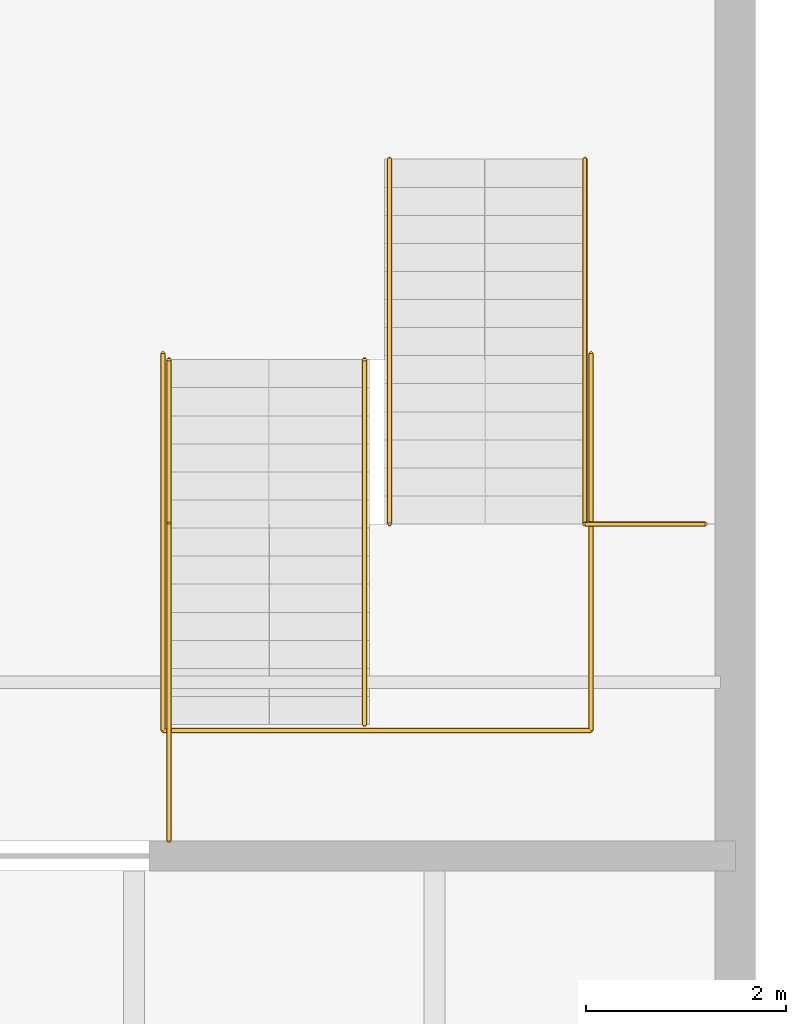
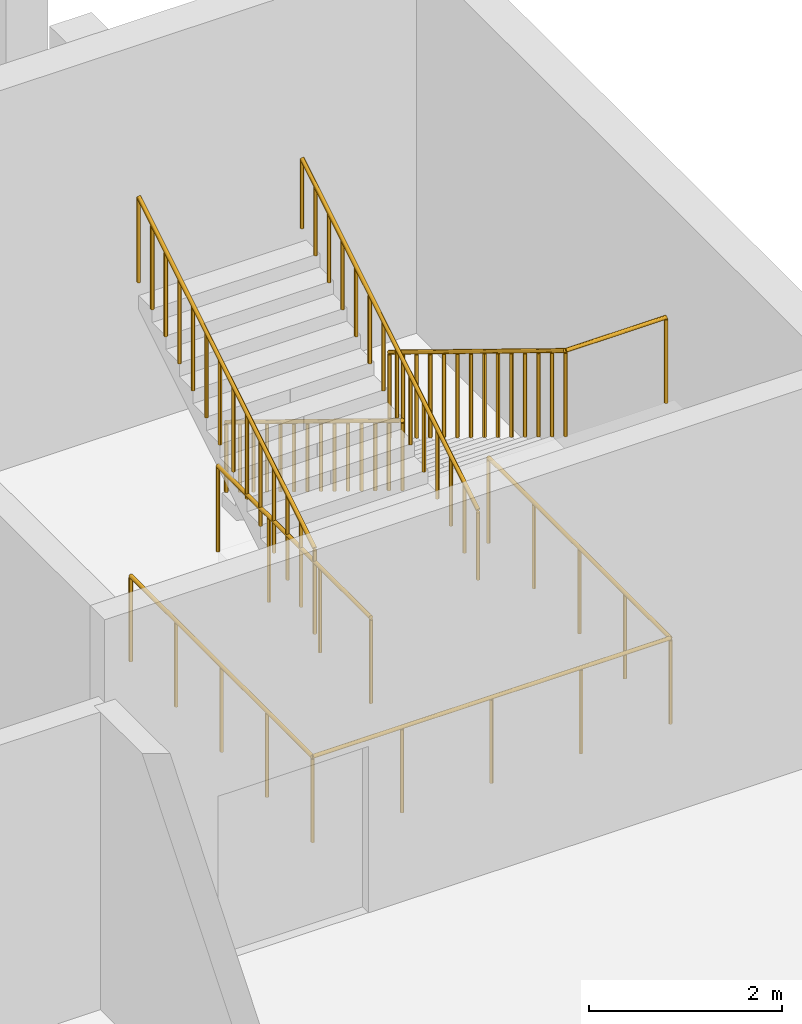
# One storey, part 31 of 31: 7 railings.
"""IFC4 building model written with IfcOpenShell, lengths in metres."""

from ifc_helpers import new_model, si_unit, direction, frame, origin, origin_2d, place, context, subcontext, project, spatial, circle, extrude, material, type_object, element, save


model = new_model("IFC4")

# Units and contexts
model_context = context("Model", 3, precision=1e-05, world=origin(), true_north=direction((0.0, 1.0)))
body_context = subcontext(model_context, "Body", "Model", "MODEL_VIEW")
ifc_project = project(units=[si_unit("LENGTHUNIT", "METRE"), si_unit("AREAUNIT", "SQUARE_METRE"), si_unit("VOLUMEUNIT", "CUBIC_METRE"), si_unit("PLANEANGLEUNIT", "RADIAN"), si_unit("MASSUNIT", "GRAM", prefix="KILO")], contexts=[model_context])

# Site, building, storey
site_placement = place(None, origin())
site = spatial("IfcSite", under=ifc_project, at=site_placement, CompositionType="ELEMENT")
building_placement = place(site_placement, origin())
building = spatial("IfcBuilding", under=site, at=building_placement, Name="Halyard Row Museum", CompositionType="ELEMENT")
storey_placement = place(building_placement, frame((0.0, 0.0, -4.800048828125)))
storey = spatial("IfcBuildingStorey", under=building, at=storey_placement, Name="B1", CompositionType="ELEMENT", Elevation=-4.800048828125)

# Railings
ifc_material_1 = material(Name="Steel Grade 300", Category="steel")
railing_type_1 = type_object("IfcRailingType", Name="Guard GR2 steel balustrade 1100", PredefinedType="GUARDRAIL", material=ifc_material_1)
railing_1_placement = place(storey_placement, frame((106.5, 61.10009765625, 0.17138671875)))
element("IfcRailing", 1, at=railing_1_placement, inside=storey, type_object=railing_type_1, Name="Guard GR112", PredefinedType="GUARDRAIL", context=body_context, shape_type="SweptSolid", body=[
    extrude(circle(Radius=0.02392578125, at=origin_2d()), frame((0.0, 0.0, 1.076171875), z_axis=(0.0, -0.852601252411, 0.522562057929), x_axis=(1.0, 0.0, 0.0)), (0.0, 0.0, 1.0), 0.328369140625),
    extrude(circle(Radius=0.02392578125, at=origin_2d()), frame((0.0, -0.280029296875, 1.24755859375), z_axis=(0.0, -0.852932391421, 0.522021393877), x_axis=(1.0, 0.0, 0.0)), (0.0, 0.0, 1.0), 0.328369140625),
    extrude(circle(Radius=0.02392578125, at=origin_2d()), frame((0.0, -0.56005859375, 1.4189453125), z_axis=(0.0, -0.852932391421, 0.522021393877), x_axis=(1.0, 0.0, 0.0)), (0.0, 0.0, 1.0), 0.328369140625),
    extrude(circle(Radius=0.02392578125, at=origin_2d()), frame((0.0, -0.840087890625, 1.59033203125), z_axis=(0.0, -0.852932391421, 0.522021393877), x_axis=(1.0, 0.0, 0.0)), (0.0, 0.0, 1.0), 0.328369140625),
    extrude(circle(Radius=0.02392578125, at=origin_2d()), frame((0.0, -1.1201171875, 1.76171875), z_axis=(0.0, -0.852932391421, 0.522021393877), x_axis=(1.0, 0.0, 0.0)), (0.0, 0.0, 1.0), 0.328369140625),
    extrude(circle(Radius=0.02392578125, at=origin_2d()), frame((0.0, -1.400146484375, 1.93310546875), z_axis=(0.0, -0.852932391421, 0.522021393877), x_axis=(1.0, 0.0, 0.0)), (0.0, 0.0, 1.0), 0.328369140625),
    extrude(circle(Radius=0.02392578125, at=origin_2d()), frame((0.0, -1.68017578125, 2.1044921875), z_axis=(0.0, -0.852601252411, 0.522562057929), x_axis=(1.0, 0.0, 0.0)), (0.0, 0.0, 1.0), 0.328369140625),
    extrude(circle(Radius=0.02392578125, at=origin_2d()), frame((0.0, -1.960205078125, 2.2763671875), z_axis=(0.0, -0.852729557261, 0.522352660731), x_axis=(1.0, 0.0, 0.0)), (0.0, 0.0, 1.0), 0.328125),
    extrude(circle(Radius=0.02392578125, at=origin_2d()), frame((0.0, -2.239990234375, 2.44775390625), z_axis=(0.0, -0.852932391421, 0.522021393877), x_axis=(1.0, 0.0, 0.0)), (0.0, 0.0, 1.0), 0.328369140625),
    extrude(circle(Radius=0.02392578125, at=origin_2d()), frame((0.0, -2.52001953125, 2.619140625), z_axis=(0.0, -0.852932391421, 0.522021393877), x_axis=(1.0, 0.0, 0.0)), (0.0, 0.0, 1.0), 0.328369140625),
    extrude(circle(Radius=0.02392578125, at=origin_2d()), frame((0.0, -2.800048828125, 2.79052734375), z_axis=(0.0, -0.852932391421, 0.522021393877), x_axis=(1.0, 0.0, 0.0)), (0.0, 0.0, 1.0), 0.328369140625),
    extrude(circle(Radius=0.02392578125, at=origin_2d()), frame((0.0, -3.080078125, 2.9619140625), z_axis=(0.0, -0.852932391421, 0.522021393877), x_axis=(1.0, 0.0, 0.0)), (0.0, 0.0, 1.0), 0.328369140625),
    extrude(circle(Radius=0.02392578125, at=origin_2d()), frame((0.0, -3.360107421875, 3.13330078125), z_axis=(0.0, -0.852601252411, 0.522562057929), x_axis=(1.0, 0.0, 0.0)), (0.0, 0.0, 1.0), 0.328369140625),
    extrude(circle(Radius=0.02099609375, at=origin_2d()), origin(), (0.0, 0.0, 1.0), 1.052001953125),
    extrude(circle(Radius=0.02099609375, at=origin_2d()), frame((0.0, -0.280029296875, 0.171630859375)), (0.0, 0.0, 1.0), 1.052001953125),
    extrude(circle(Radius=0.02099609375, at=origin_2d()), frame((0.0, -0.56005859375, 0.343017578125)), (0.0, 0.0, 1.0), 1.052001953125),
    extrude(circle(Radius=0.02099609375, at=origin_2d()), frame((0.0, -0.840087890625, 0.514404296875)), (0.0, 0.0, 1.0), 1.052001953125),
    extrude(circle(Radius=0.02099609375, at=origin_2d()), frame((0.0, -1.1201171875, 0.685791015625)), (0.0, 0.0, 1.0), 1.052001953125),
    extrude(circle(Radius=0.02099609375, at=origin_2d()), frame((0.0, -1.400146484375, 0.857177734375)), (0.0, 0.0, 1.0), 1.052001953125),
    extrude(circle(Radius=0.02099609375, at=origin_2d()), frame((0.0, -1.68017578125, 1.028564453125)), (0.0, 0.0, 1.0), 1.052001953125),
    extrude(circle(Radius=0.02099609375, at=origin_2d()), frame((0.0, -1.960205078125, 1.2001953125)), (0.0, 0.0, 1.0), 1.052001953125),
    extrude(circle(Radius=0.02099609375, at=origin_2d()), frame((0.0, -2.239990234375, 1.37158203125)), (0.0, 0.0, 1.0), 1.052001953125),
    extrude(circle(Radius=0.02099609375, at=origin_2d()), frame((0.0, -2.52001953125, 1.54296875)), (0.0, 0.0, 1.0), 1.052001953125),
    extrude(circle(Radius=0.02099609375, at=origin_2d()), frame((0.0, -2.800048828125, 1.71435546875)), (0.0, 0.0, 1.0), 1.052001953125),
    extrude(circle(Radius=0.02099609375, at=origin_2d()), frame((0.0, -3.080078125, 1.8857421875)), (0.0, 0.0, 1.0), 1.052001953125),
    extrude(circle(Radius=0.02099609375, at=origin_2d()), frame((0.0, -3.360107421875, 2.05712890625)), (0.0, 0.0, 1.0), 1.052001953125),
    extrude(circle(Radius=0.02099609375, at=origin_2d()), frame((0.0, -3.64013671875, 2.228759765625)), (0.0, 0.0, 1.0), 1.052001953125),
])
railing_2_placement = place(storey_placement, frame((102.35009765625, 55.4599609375, 2.571533203125)))
element("IfcRailing", 2, at=railing_2_placement, inside=storey, type_object=railing_type_1, Name="Guard GR113", PredefinedType="GUARDRAIL", context=body_context, shape_type="SweptSolid", body=[
    extrude(circle(Radius=0.02392578125, at=origin_2d()), frame((0.0, 0.0, 1.076171875), z_axis=(0.0, 0.852932391421, 0.522021393877), x_axis=(-1.0, 0.0, 0.0)), (0.0, 0.0, 1.0), 0.328369140625),
    extrude(circle(Radius=0.02392578125, at=origin_2d()), frame((0.0, 0.280029296875, 1.24755859375), z_axis=(0.0, 0.852932391421, 0.522021393877), x_axis=(-1.0, 0.0, 0.0)), (0.0, 0.0, 1.0), 0.328369140625),
    extrude(circle(Radius=0.02392578125, at=origin_2d()), frame((0.0, 0.56005859375, 1.4189453125), z_axis=(0.0, 0.852932391421, 0.522021393877), x_axis=(-1.0, 0.0, 0.0)), (0.0, 0.0, 1.0), 0.328369140625),
    extrude(circle(Radius=0.02392578125, at=origin_2d()), frame((0.0, 0.840087890625, 1.59033203125), z_axis=(0.0, 0.852932391421, 0.522021393877), x_axis=(-1.0, 0.0, 0.0)), (0.0, 0.0, 1.0), 0.328369140625),
    extrude(circle(Radius=0.02392578125, at=origin_2d()), frame((0.0, 1.1201171875, 1.76171875), z_axis=(0.0, 0.852601252411, 0.522562057929), x_axis=(-1.0, 0.0, 0.0)), (0.0, 0.0, 1.0), 0.328369140625),
    extrude(circle(Radius=0.02392578125, at=origin_2d()), frame((0.0, 1.400146484375, 1.93310546875), z_axis=(0.0, 0.852729557261, 0.522352660731), x_axis=(-1.0, 0.0, 0.0)), (0.0, 0.0, 1.0), 0.328125),
    extrude(circle(Radius=0.02392578125, at=origin_2d()), frame((0.0, 1.679931640625, 2.1044921875), z_axis=(0.0, 0.852932391421, 0.522021393877), x_axis=(-1.0, 0.0, 0.0)), (0.0, 0.0, 1.0), 0.328369140625),
    extrude(circle(Radius=0.02392578125, at=origin_2d()), frame((0.0, 1.9599609375, 2.27587890625), z_axis=(0.0, 0.852932391421, 0.522021393877), x_axis=(-1.0, 0.0, 0.0)), (0.0, 0.0, 1.0), 0.328369140625),
    extrude(circle(Radius=0.02392578125, at=origin_2d()), frame((0.0, 2.239990234375, 2.447265625), z_axis=(0.0, 0.852932391421, 0.522021393877), x_axis=(-1.0, 0.0, 0.0)), (0.0, 0.0, 1.0), 0.328369140625),
    extrude(circle(Radius=0.02392578125, at=origin_2d()), frame((0.0, 2.52001953125, 2.61865234375), z_axis=(0.0, 0.852932391421, 0.522021393877), x_axis=(-1.0, 0.0, 0.0)), (0.0, 0.0, 1.0), 0.328369140625),
    extrude(circle(Radius=0.02392578125, at=origin_2d()), frame((0.0, 2.800048828125, 2.7900390625), z_axis=(0.0, 0.852601252411, 0.522562057929), x_axis=(-1.0, 0.0, 0.0)), (0.0, 0.0, 1.0), 0.328369140625),
    extrude(circle(Radius=0.02392578125, at=origin_2d()), frame((0.0, 3.080078125, 2.9619140625), z_axis=(0.0, 0.852932391421, 0.522021393877), x_axis=(-1.0, 0.0, 0.0)), (0.0, 0.0, 1.0), 0.328369140625),
    extrude(circle(Radius=0.02392578125, at=origin_2d()), frame((0.0, 3.360107421875, 3.13330078125), z_axis=(0.0, 0.852932391421, 0.522021393877), x_axis=(-1.0, 0.0, 0.0)), (0.0, 0.0, 1.0), 0.328369140625),
    extrude(circle(Radius=0.02099609375, at=origin_2d()), origin(), (0.0, 0.0, 1.0), 1.052001953125),
    extrude(circle(Radius=0.02099609375, at=origin_2d()), frame((0.0, 0.280029296875, 0.17138671875)), (0.0, 0.0, 1.0), 1.052001953125),
    extrude(circle(Radius=0.02099609375, at=origin_2d()), frame((0.0, 0.56005859375, 0.3427734375)), (0.0, 0.0, 1.0), 1.052001953125),
    extrude(circle(Radius=0.02099609375, at=origin_2d()), frame((0.0, 0.840087890625, 0.51416015625)), (0.0, 0.0, 1.0), 1.052001953125),
    extrude(circle(Radius=0.02099609375, at=origin_2d()), frame((0.0, 1.1201171875, 0.685546875)), (0.0, 0.0, 1.0), 1.052001953125),
    extrude(circle(Radius=0.02099609375, at=origin_2d()), frame((0.0, 1.400146484375, 0.857177734375)), (0.0, 0.0, 1.0), 1.052001953125),
    extrude(circle(Radius=0.02099609375, at=origin_2d()), frame((0.0, 1.679931640625, 1.028564453125)), (0.0, 0.0, 1.0), 1.052001953125),
    extrude(circle(Radius=0.02099609375, at=origin_2d()), frame((0.0, 1.9599609375, 1.199951171875)), (0.0, 0.0, 1.0), 1.052001953125),
    extrude(circle(Radius=0.02099609375, at=origin_2d()), frame((0.0, 2.239990234375, 1.371337890625)), (0.0, 0.0, 1.0), 1.052001953125),
    extrude(circle(Radius=0.02099609375, at=origin_2d()), frame((0.0, 2.52001953125, 1.542724609375)), (0.0, 0.0, 1.0), 1.052001953125),
    extrude(circle(Radius=0.02099609375, at=origin_2d()), frame((0.0, 2.800048828125, 1.714111328125)), (0.0, 0.0, 1.0), 1.052001953125),
    extrude(circle(Radius=0.02099609375, at=origin_2d()), frame((0.0, 3.080078125, 1.8857421875)), (0.0, 0.0, 1.0), 1.052001953125),
    extrude(circle(Radius=0.02099609375, at=origin_2d()), frame((0.0, 3.360107421875, 2.05712890625)), (0.0, 0.0, 1.0), 1.052001953125),
    extrude(circle(Radius=0.02099609375, at=origin_2d()), frame((0.0, 3.64013671875, 2.228515625)), (0.0, 0.0, 1.0), 1.052001953125),
])
railing_3_placement = place(storey_placement, frame((107.699951171875, 57.4599609375, 2.400146484375)))
element("IfcRailing", 3, at=railing_3_placement, inside=storey, type_object=railing_type_1, Name="Guard GR114", PredefinedType="GUARDRAIL", context=body_context, shape_type="SweptSolid", body=[
    extrude(circle(Radius=0.02392578125, at=origin_2d()), frame((0.0, 0.0, 1.076171875), z_axis=(-1.0, 0.0, 0.0), x_axis=(0.0, -1.0, 0.0)), (0.0, 0.0, 1.0), 1.199951171875),
    extrude(circle(Radius=0.02099609375, at=origin_2d()), origin(), (0.0, 0.0, 1.0), 1.052001953125),
    extrude(circle(Radius=0.02099609375, at=origin_2d()), frame((-1.199951171875, 0.0, 0.0)), (0.0, 0.0, 1.0), 1.052001953125),
])
railing_4_placement = place(storey_placement, frame((102.35009765625, 57.4599609375, 2.400146484375)))
element("IfcRailing", 4, at=railing_4_placement, inside=storey, type_object=railing_type_1, Name="Guard GR115", PredefinedType="GUARDRAIL", context=body_context, shape_type="SweptSolid", body=[
    extrude(circle(Radius=0.02392578125, at=origin_2d()), frame((0.0, 0.0, 1.076171875), z_axis=(0.0, -1.0, 0.0), x_axis=(1.0, 0.0, 0.0)), (0.0, 0.0, 1.0), 3.159912109375),
    extrude(circle(Radius=0.02099609375, at=origin_2d()), origin(), (0.0, 0.0, 1.0), 1.052001953125),
    extrude(circle(Radius=0.02099609375, at=origin_2d()), frame((0.0, -1.05322265625, 0.0)), (0.0, 0.0, 1.0), 1.052001953125),
    extrude(circle(Radius=0.02099609375, at=origin_2d()), frame((0.0, -2.106689453125, 0.0)), (0.0, 0.0, 1.0), 1.052001953125),
    extrude(circle(Radius=0.02099609375, at=origin_2d()), frame((0.0, -3.159912109375, 0.0)), (0.0, 0.0, 1.0), 1.052001953125),
])
railing_5_placement = place(storey_placement, frame((106.56005859375, 59.159912109375, 0.0)))
element("IfcRailing", 5, at=railing_5_placement, inside=storey, type_object=railing_type_1, Name="Guard GR184", PredefinedType="GUARDRAIL", context=body_context, shape_type="SweptSolid", body=[
    extrude(circle(Radius=0.02392578125, at=origin_2d()), frame((0.0, 0.0, 1.076171875), z_axis=(0.0, -1.0, 0.0), x_axis=(1.0, 0.0, 0.0)), (0.0, 0.0, 1.0), 3.760009765625),
    extrude(circle(Radius=0.02392578125, at=origin_2d()), frame((0.0, -3.760009765625, 1.076171875), z_axis=(-1.0, 0.0, 0.0), x_axis=(0.0, -1.0, 0.0)), (0.0, 0.0, 1.0), 4.27001953125),
    extrude(circle(Radius=0.02392578125, at=origin_2d()), frame((-4.27001953125, -3.760009765625, 1.076171875), z_axis=(0.0, 1.0, 0.0), x_axis=(-1.0, 0.0, 0.0)), (0.0, 0.0, 1.0), 3.760009765625),
    extrude(circle(Radius=0.02099609375, at=origin_2d()), origin(), (0.0, 0.0, 1.0), 1.052001953125),
    extrude(circle(Radius=0.02099609375, at=origin_2d()), frame((0.0, -0.93994140625, 0.0)), (0.0, 0.0, 1.0), 1.052001953125),
    extrude(circle(Radius=0.02099609375, at=origin_2d()), frame((0.0, -1.8798828125, 0.0)), (0.0, 0.0, 1.0), 1.052001953125),
    extrude(circle(Radius=0.02099609375, at=origin_2d()), frame((0.0, -2.820068359375, 0.0)), (0.0, 0.0, 1.0), 1.052001953125),
    extrude(circle(Radius=0.02099609375, at=origin_2d()), frame((0.0, -3.760009765625, 0.0)), (0.0, 0.0, 1.0), 1.052001953125),
    extrude(circle(Radius=0.02099609375, at=origin_2d()), frame((-1.0673828125, -3.760009765625, 0.0)), (0.0, 0.0, 1.0), 1.052001953125),
    extrude(circle(Radius=0.02099609375, at=origin_2d()), frame((-2.135009765625, -3.760009765625, 0.0)), (0.0, 0.0, 1.0), 1.052001953125),
    extrude(circle(Radius=0.02099609375, at=origin_2d()), frame((-3.20263671875, -3.760009765625, 0.0)), (0.0, 0.0, 1.0), 1.052001953125),
    extrude(circle(Radius=0.02099609375, at=origin_2d()), frame((-4.27001953125, -3.760009765625, 0.0)), (0.0, 0.0, 1.0), 1.052001953125),
    extrude(circle(Radius=0.02099609375, at=origin_2d()), frame((-4.27001953125, -2.820068359375, 0.0)), (0.0, 0.0, 1.0), 1.052001953125),
    extrude(circle(Radius=0.02099609375, at=origin_2d()), frame((-4.27001953125, -1.8798828125, 0.0)), (0.0, 0.0, 1.0), 1.052001953125),
    extrude(circle(Radius=0.02099609375, at=origin_2d()), frame((-4.27001953125, -0.93994140625, 0.0)), (0.0, 0.0, 1.0), 1.052001953125),
    extrude(circle(Radius=0.02099609375, at=origin_2d()), frame((-4.27001953125, 0.0, 0.0)), (0.0, 0.0, 1.0), 1.052001953125),
])
ifc_material_2 = material(Name="Steel Grade 300", Category="steel")
railing_type_2 = type_object("IfcRailingType", Name="Handrail HR2 steel 900", PredefinedType="HANDRAIL", material=ifc_material_2)
railing_6_placement = place(storey_placement, frame((104.550048828125, 61.10009765625, 0.17138671875)))
element("IfcRailing", 6, at=railing_6_placement, inside=storey, type_object=railing_type_2, Name="Handrail HR143", PredefinedType="HANDRAIL", context=body_context, shape_type="SweptSolid", body=[
    extrude(circle(Radius=0.02392578125, at=origin_2d()), frame((0.0, 0.0, 0.8759765625), z_axis=(0.0, -0.852601252411, 0.522562057929), x_axis=(1.0, 0.0, 0.0)), (0.0, 0.0, 1.0), 0.328369140625),
    extrude(circle(Radius=0.02392578125, at=origin_2d()), frame((0.0, -0.280029296875, 1.04736328125), z_axis=(0.0, -0.852932391421, 0.522021393877), x_axis=(1.0, 0.0, 0.0)), (0.0, 0.0, 1.0), 0.328369140625),
    extrude(circle(Radius=0.02392578125, at=origin_2d()), frame((0.0, -0.56005859375, 1.21875), z_axis=(0.0, -0.852932391421, 0.522021393877), x_axis=(1.0, 0.0, 0.0)), (0.0, 0.0, 1.0), 0.328369140625),
    extrude(circle(Radius=0.02392578125, at=origin_2d()), frame((0.0, -0.840087890625, 1.39013671875), z_axis=(0.0, -0.852932391421, 0.522021393877), x_axis=(1.0, 0.0, 0.0)), (0.0, 0.0, 1.0), 0.328369140625),
    extrude(circle(Radius=0.02392578125, at=origin_2d()), frame((0.0, -1.1201171875, 1.5615234375), z_axis=(0.0, -0.852932391421, 0.522021393877), x_axis=(1.0, 0.0, 0.0)), (0.0, 0.0, 1.0), 0.328369140625),
    extrude(circle(Radius=0.02392578125, at=origin_2d()), frame((0.0, -1.400146484375, 1.73291015625), z_axis=(0.0, -0.852932391421, 0.522021393877), x_axis=(1.0, 0.0, 0.0)), (0.0, 0.0, 1.0), 0.328369140625),
    extrude(circle(Radius=0.02392578125, at=origin_2d()), frame((0.0, -1.68017578125, 1.904296875), z_axis=(0.0, -0.852601252411, 0.522562057929), x_axis=(1.0, 0.0, 0.0)), (0.0, 0.0, 1.0), 0.328369140625),
    extrude(circle(Radius=0.02392578125, at=origin_2d()), frame((0.0, -1.960205078125, 2.076171875), z_axis=(0.0, -0.852729557261, 0.522352660731), x_axis=(1.0, 0.0, 0.0)), (0.0, 0.0, 1.0), 0.328125),
    extrude(circle(Radius=0.02392578125, at=origin_2d()), frame((0.0, -2.239990234375, 2.24755859375), z_axis=(0.0, -0.852932391421, 0.522021393877), x_axis=(1.0, 0.0, 0.0)), (0.0, 0.0, 1.0), 0.328369140625),
    extrude(circle(Radius=0.02392578125, at=origin_2d()), frame((0.0, -2.52001953125, 2.4189453125), z_axis=(0.0, -0.852932391421, 0.522021393877), x_axis=(1.0, 0.0, 0.0)), (0.0, 0.0, 1.0), 0.328369140625),
    extrude(circle(Radius=0.02392578125, at=origin_2d()), frame((0.0, -2.800048828125, 2.59033203125), z_axis=(0.0, -0.852932391421, 0.522021393877), x_axis=(1.0, 0.0, 0.0)), (0.0, 0.0, 1.0), 0.328369140625),
    extrude(circle(Radius=0.02392578125, at=origin_2d()), frame((0.0, -3.080078125, 2.76171875), z_axis=(0.0, -0.852932391421, 0.522021393877), x_axis=(1.0, 0.0, 0.0)), (0.0, 0.0, 1.0), 0.328369140625),
    extrude(circle(Radius=0.02392578125, at=origin_2d()), frame((0.0, -3.360107421875, 2.93310546875), z_axis=(0.0, -0.852601252411, 0.522562057929), x_axis=(1.0, 0.0, 0.0)), (0.0, 0.0, 1.0), 0.328369140625),
    extrude(circle(Radius=0.02099609375, at=origin_2d()), origin(), (0.0, 0.0, 1.0), 0.851806640625),
    extrude(circle(Radius=0.02099609375, at=origin_2d()), frame((0.0, -0.280029296875, 0.171630859375)), (0.0, 0.0, 1.0), 0.851806640625),
    extrude(circle(Radius=0.02099609375, at=origin_2d()), frame((0.0, -0.56005859375, 0.343017578125)), (0.0, 0.0, 1.0), 0.851806640625),
    extrude(circle(Radius=0.02099609375, at=origin_2d()), frame((0.0, -0.840087890625, 0.514404296875)), (0.0, 0.0, 1.0), 0.851806640625),
    extrude(circle(Radius=0.02099609375, at=origin_2d()), frame((0.0, -1.1201171875, 0.685791015625)), (0.0, 0.0, 1.0), 0.851806640625),
    extrude(circle(Radius=0.02099609375, at=origin_2d()), frame((0.0, -1.400146484375, 0.857177734375)), (0.0, 0.0, 1.0), 0.851806640625),
    extrude(circle(Radius=0.02099609375, at=origin_2d()), frame((0.0, -1.68017578125, 1.028564453125)), (0.0, 0.0, 1.0), 0.851806640625),
    extrude(circle(Radius=0.02099609375, at=origin_2d()), frame((0.0, -1.960205078125, 1.2001953125)), (0.0, 0.0, 1.0), 0.851806640625),
    extrude(circle(Radius=0.02099609375, at=origin_2d()), frame((0.0, -2.239990234375, 1.37158203125)), (0.0, 0.0, 1.0), 0.851806640625),
    extrude(circle(Radius=0.02099609375, at=origin_2d()), frame((0.0, -2.52001953125, 1.54296875)), (0.0, 0.0, 1.0), 0.851806640625),
    extrude(circle(Radius=0.02099609375, at=origin_2d()), frame((0.0, -2.800048828125, 1.71435546875)), (0.0, 0.0, 1.0), 0.851806640625),
    extrude(circle(Radius=0.02099609375, at=origin_2d()), frame((0.0, -3.080078125, 1.8857421875)), (0.0, 0.0, 1.0), 0.851806640625),
    extrude(circle(Radius=0.02099609375, at=origin_2d()), frame((0.0, -3.360107421875, 2.05712890625)), (0.0, 0.0, 1.0), 0.851806640625),
    extrude(circle(Radius=0.02099609375, at=origin_2d()), frame((0.0, -3.64013671875, 2.228759765625)), (0.0, 0.0, 1.0), 0.851806640625),
])
railing_7_placement = place(storey_placement, frame((104.300048828125, 55.4599609375, 2.571533203125)))
element("IfcRailing", 7, at=railing_7_placement, inside=storey, type_object=railing_type_2, Name="Handrail HR144", PredefinedType="HANDRAIL", context=body_context, shape_type="SweptSolid", body=[
    extrude(circle(Radius=0.02392578125, at=origin_2d()), frame((0.0, 0.0, 0.8759765625), z_axis=(0.0, 0.852932391421, 0.522021393877), x_axis=(-1.0, 0.0, 0.0)), (0.0, 0.0, 1.0), 0.328369140625),
    extrude(circle(Radius=0.02392578125, at=origin_2d()), frame((0.0, 0.280029296875, 1.04736328125), z_axis=(0.0, 0.852932391421, 0.522021393877), x_axis=(-1.0, 0.0, 0.0)), (0.0, 0.0, 1.0), 0.328369140625),
    extrude(circle(Radius=0.02392578125, at=origin_2d()), frame((0.0, 0.56005859375, 1.21875), z_axis=(0.0, 0.852932391421, 0.522021393877), x_axis=(-1.0, 0.0, 0.0)), (0.0, 0.0, 1.0), 0.328369140625),
    extrude(circle(Radius=0.02392578125, at=origin_2d()), frame((0.0, 0.840087890625, 1.39013671875), z_axis=(0.0, 0.852932391421, 0.522021393877), x_axis=(-1.0, 0.0, 0.0)), (0.0, 0.0, 1.0), 0.328369140625),
    extrude(circle(Radius=0.02392578125, at=origin_2d()), frame((0.0, 1.1201171875, 1.5615234375), z_axis=(0.0, 0.852601252411, 0.522562057929), x_axis=(-1.0, 0.0, 0.0)), (0.0, 0.0, 1.0), 0.328369140625),
    extrude(circle(Radius=0.02392578125, at=origin_2d()), frame((0.0, 1.400146484375, 1.73291015625), z_axis=(0.0, 0.852729557261, 0.522352660731), x_axis=(-1.0, 0.0, 0.0)), (0.0, 0.0, 1.0), 0.328125),
    extrude(circle(Radius=0.02392578125, at=origin_2d()), frame((0.0, 1.679931640625, 1.904296875), z_axis=(0.0, 0.852932391421, 0.522021393877), x_axis=(-1.0, 0.0, 0.0)), (0.0, 0.0, 1.0), 0.328369140625),
    extrude(circle(Radius=0.02392578125, at=origin_2d()), frame((0.0, 1.9599609375, 2.07568359375), z_axis=(0.0, 0.852932391421, 0.522021393877), x_axis=(-1.0, 0.0, 0.0)), (0.0, 0.0, 1.0), 0.328369140625),
    extrude(circle(Radius=0.02392578125, at=origin_2d()), frame((0.0, 2.239990234375, 2.2470703125), z_axis=(0.0, 0.852932391421, 0.522021393877), x_axis=(-1.0, 0.0, 0.0)), (0.0, 0.0, 1.0), 0.328369140625),
    extrude(circle(Radius=0.02392578125, at=origin_2d()), frame((0.0, 2.52001953125, 2.41845703125), z_axis=(0.0, 0.852932391421, 0.522021393877), x_axis=(-1.0, 0.0, 0.0)), (0.0, 0.0, 1.0), 0.328369140625),
    extrude(circle(Radius=0.02392578125, at=origin_2d()), frame((0.0, 2.800048828125, 2.58984375), z_axis=(0.0, 0.852601252411, 0.522562057929), x_axis=(-1.0, 0.0, 0.0)), (0.0, 0.0, 1.0), 0.328369140625),
    extrude(circle(Radius=0.02392578125, at=origin_2d()), frame((0.0, 3.080078125, 2.76171875), z_axis=(0.0, 0.852932391421, 0.522021393877), x_axis=(-1.0, 0.0, 0.0)), (0.0, 0.0, 1.0), 0.328369140625),
    extrude(circle(Radius=0.02392578125, at=origin_2d()), frame((0.0, 3.360107421875, 2.93310546875), z_axis=(0.0, 0.852932391421, 0.522021393877), x_axis=(-1.0, 0.0, 0.0)), (0.0, 0.0, 1.0), 0.328369140625),
    extrude(circle(Radius=0.02099609375, at=origin_2d()), origin(), (0.0, 0.0, 1.0), 0.851806640625),
    extrude(circle(Radius=0.02099609375, at=origin_2d()), frame((0.0, 0.280029296875, 0.17138671875)), (0.0, 0.0, 1.0), 0.851806640625),
    extrude(circle(Radius=0.02099609375, at=origin_2d()), frame((0.0, 0.56005859375, 0.3427734375)), (0.0, 0.0, 1.0), 0.851806640625),
    extrude(circle(Radius=0.02099609375, at=origin_2d()), frame((0.0, 0.840087890625, 0.51416015625)), (0.0, 0.0, 1.0), 0.851806640625),
    extrude(circle(Radius=0.02099609375, at=origin_2d()), frame((0.0, 1.1201171875, 0.685546875)), (0.0, 0.0, 1.0), 0.851806640625),
    extrude(circle(Radius=0.02099609375, at=origin_2d()), frame((0.0, 1.400146484375, 0.857177734375)), (0.0, 0.0, 1.0), 0.851806640625),
    extrude(circle(Radius=0.02099609375, at=origin_2d()), frame((0.0, 1.679931640625, 1.028564453125)), (0.0, 0.0, 1.0), 0.851806640625),
    extrude(circle(Radius=0.02099609375, at=origin_2d()), frame((0.0, 1.9599609375, 1.199951171875)), (0.0, 0.0, 1.0), 0.851806640625),
    extrude(circle(Radius=0.02099609375, at=origin_2d()), frame((0.0, 2.239990234375, 1.371337890625)), (0.0, 0.0, 1.0), 0.851806640625),
    extrude(circle(Radius=0.02099609375, at=origin_2d()), frame((0.0, 2.52001953125, 1.542724609375)), (0.0, 0.0, 1.0), 0.851806640625),
    extrude(circle(Radius=0.02099609375, at=origin_2d()), frame((0.0, 2.800048828125, 1.714111328125)), (0.0, 0.0, 1.0), 0.851806640625),
    extrude(circle(Radius=0.02099609375, at=origin_2d()), frame((0.0, 3.080078125, 1.8857421875)), (0.0, 0.0, 1.0), 0.851806640625),
    extrude(circle(Radius=0.02099609375, at=origin_2d()), frame((0.0, 3.360107421875, 2.05712890625)), (0.0, 0.0, 1.0), 0.851806640625),
    extrude(circle(Radius=0.02099609375, at=origin_2d()), frame((0.0, 3.64013671875, 2.228515625)), (0.0, 0.0, 1.0), 0.851806640625),
])

save(model, "model.ifc")
